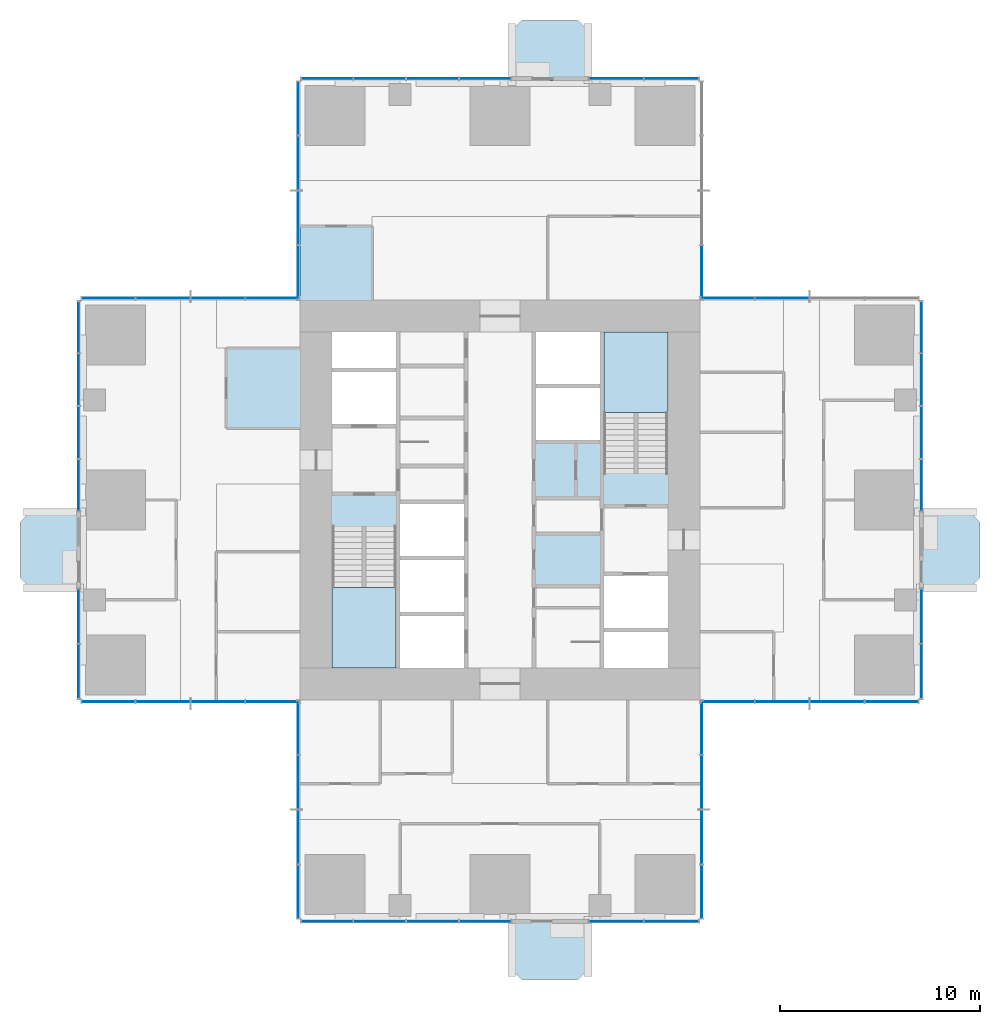
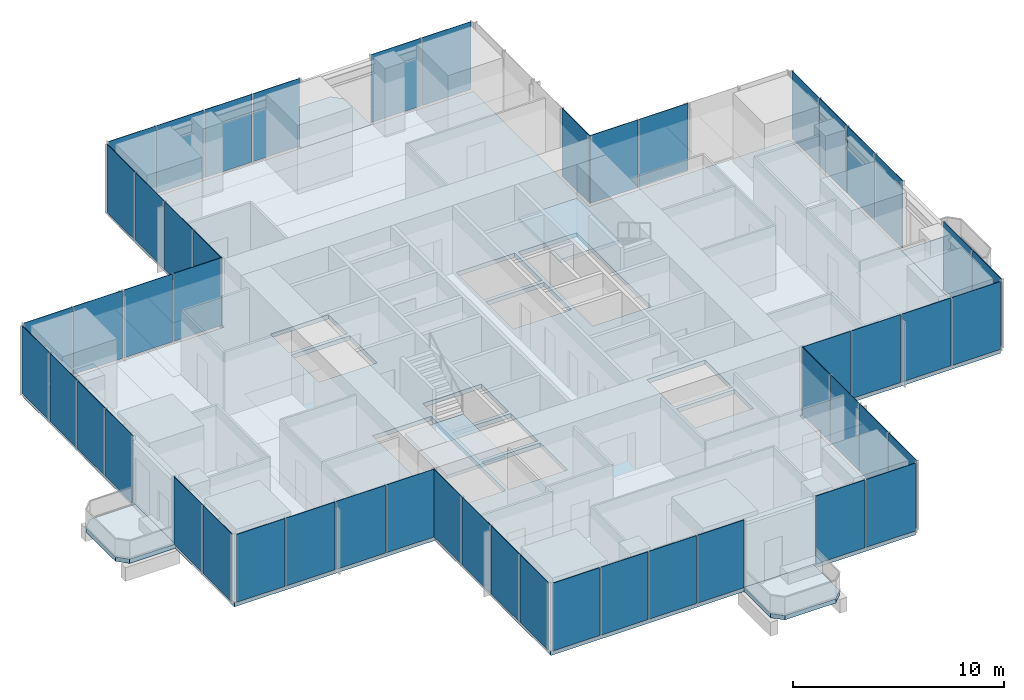
# One storey, part 7 of 13: 51 plates, 7 slabs, 18 elements without a shape of their own.
"""IFC4 building model written with IfcOpenShell, lengths in metres."""

from ifc_helpers import new_model, si_unit, direction, frame, origin, origin_2d, place, context, subcontext, project, spatial, polyline, rectangle, outline, extrude, material, layer, layer_set, type_object, element, aggregate, save


model = new_model("IFC4")

# Units and contexts
model_context = context("Model", 3, precision=1e-05, world=origin(), true_north=direction((0.0, 1.0)))
body_context = subcontext(model_context, "Body", "Model", "MODEL_VIEW")
ifc_project = project(units=[si_unit("LENGTHUNIT", "METRE"), si_unit("AREAUNIT", "SQUARE_METRE"), si_unit("VOLUMEUNIT", "CUBIC_METRE"), si_unit("PLANEANGLEUNIT", "RADIAN"), si_unit("MASSUNIT", "GRAM", prefix="KILO")], contexts=[model_context])

# Site, building, storey
site_placement = place(None, origin())
site = spatial("IfcSite", under=ifc_project, at=site_placement, CompositionType="ELEMENT")
building_placement = place(site_placement, origin())
building = spatial("IfcBuilding", under=site, at=building_placement, Name="Svetlomir Tower", CompositionType="ELEMENT")
storey_placement = place(building_placement, frame((0.0, 0.0, 144.5)))
storey = spatial("IfcBuildingStorey", under=building, at=storey_placement, Name="L34", CompositionType="ELEMENT", Elevation=144.5)

# Slabs
ifc_material_1 = material(Name="Concrete C60/75", Category="concrete")
ifc_layer_1 = layer(ifc_material_1, 0.25)
ifc_layer_set_1 = layer_set([ifc_layer_1], Name="Concrete C60/75")
slab_type_1 = type_object("IfcSlabType", Name="BALCONY SLAB 250", PredefinedType="FLOOR", material=ifc_layer_set_1)
slab_1_placement = place(storey_placement, frame((0.0, 0.0, -0.25)))
element("IfcSlab", 1, at=slab_1_placement, inside=storey, type_object=slab_type_1, Name="L34 S planted balcony", PredefinedType="FLOOR", context=body_context, shape_type="SweptSolid", body=[
    extrude(outline(polyline([(21.60009765625, -2.5), (22.10009765625, -3.0), (24.89990234375, -3.0), (25.39990234375, -2.5), (25.39990234375, 0.0), (21.60009765625, 0.0), (21.60009765625, -2.5)])), origin(), (0.0, 0.0, 1.0), 0.25),
])
slab_2_placement = place(storey_placement, frame((0.0, 0.0, -0.25)))
element("IfcSlab", 2, at=slab_2_placement, inside=storey, type_object=slab_type_1, Name="L34 E planted balcony", PredefinedType="FLOOR", context=body_context, shape_type="SweptSolid", body=[
    extrude(outline(polyline([(42.0, 16.60009765625), (44.5, 16.60009765625), (45.0, 17.10009765625), (45.0, 19.89990234375), (44.5, 20.39990234375), (42.0, 20.39990234375), (42.0, 16.60009765625)])), origin(), (0.0, 0.0, 1.0), 0.25),
])
slab_3_placement = place(storey_placement, frame((0.0, 0.0, -0.25)))
element("IfcSlab", 3, at=slab_3_placement, inside=storey, type_object=slab_type_1, Name="L34 N planted balcony", PredefinedType="FLOOR", context=body_context, shape_type="SweptSolid", body=[
    extrude(outline(polyline([(21.60009765625, 42.0), (25.39990234375, 42.0), (25.39990234375, 44.5), (24.89990234375, 45.0), (22.10009765625, 45.0), (21.60009765625, 44.5), (21.60009765625, 42.0)])), origin(), (0.0, 0.0, 1.0), 0.25),
])
slab_4_placement = place(storey_placement, frame((0.0, 0.0, -0.25)))
element("IfcSlab", 4, at=slab_4_placement, inside=storey, type_object=slab_type_1, Name="L34 W planted balcony", PredefinedType="FLOOR", context=body_context, shape_type="SweptSolid", body=[
    extrude(outline(polyline([(-2.5, 16.60009765625), (0.0, 16.60009765625), (0.0, 20.39990234375), (-2.5, 20.39990234375), (-3.0, 19.89990234375), (-3.0, 17.10009765625), (-2.5, 16.60009765625)])), origin(), (0.0, 0.0, 1.0), 0.25),
])

# Curtain wall, plates
ifc_material_2 = material(Name="Bronze anodised aluminium curtain wall", Category="aluminium")
curtain_wall_type = type_object("IfcCurtainWallType", Name="CURTAIN WALL CW1 TOWER OFFICE", PredefinedType="NOTDEFINED", material=ifc_material_2)
curtain_wall_1_placement = place(storey_placement, origin())
curtain_wall_1 = element("IfcCurtainWall", 5, at=curtain_wall_1_placement, inside=storey, type_object=curtain_wall_type, Name="Curtain wall CW1 L34", PredefinedType="NOTDEFINED")
ifc_material_3 = material(Name="Tinted double glazed unit", Category="glass")
ifc_layer_2 = layer(ifc_material_3, 0.031982421875)
ifc_layer_set_2 = layer_set([ifc_layer_2], Name="Tinted double glazed unit")
plate_type = type_object("IfcPlateType", Name="CW1 GLAZED PANEL 32", PredefinedType="CURTAIN_PANEL", material=ifc_layer_set_2)
plate_1_placement = place(storey_placement, frame((12.34130859375, -0.10009765625, 0.06494140625), z_axis=(0.0, 0.0, 1.0), x_axis=(1.0, 0.0, 0.0)))
plate_1 = element("IfcPlate", 6, at=plate_1_placement, type_object=plate_type, Name="CW1 panel 1.1", PredefinedType="CURTAIN_PANEL", context=body_context, shape_type="SweptSolid", body=[
    extrude(rectangle(XDim=2.552490234375, YDim=0.031982421875, at=origin_2d()), origin(), (0.0, 0.0, 1.0), 3.93505859375),
])
plate_2_placement = place(storey_placement, frame((14.97509765625, -0.10009765625, 0.06494140625), z_axis=(0.0, 0.0, 1.0), x_axis=(1.0, 0.0, 0.0)))
plate_2 = element("IfcPlate", 7, at=plate_2_placement, type_object=plate_type, Name="CW1 panel 2.1", PredefinedType="CURTAIN_PANEL", context=body_context, shape_type="SweptSolid", body=[
    extrude(rectangle(XDim=2.5849609375, YDim=0.031982421875, at=origin_2d()), origin(), (0.0, 0.0, 1.0), 3.93505859375),
])
plate_3_placement = place(storey_placement, frame((17.625, -0.10009765625, 0.06494140625), z_axis=(0.0, 0.0, 1.0), x_axis=(1.0, 0.0, 0.0)))
plate_3 = element("IfcPlate", 8, at=plate_3_placement, type_object=plate_type, Name="CW1 panel 3.1", PredefinedType="CURTAIN_PANEL", context=body_context, shape_type="SweptSolid", body=[
    extrude(rectangle(XDim=2.5849609375, YDim=0.031982421875, at=origin_2d()), origin(), (0.0, 0.0, 1.0), 3.93505859375),
])
plate_4_placement = place(storey_placement, frame((20.2587890625, -0.10009765625, 0.06494140625), z_axis=(0.0, 0.0, 1.0), x_axis=(1.0, 0.0, 0.0)))
plate_4 = element("IfcPlate", 9, at=plate_4_placement, type_object=plate_type, Name="CW1 panel 4.1", PredefinedType="CURTAIN_PANEL", context=body_context, shape_type="SweptSolid", body=[
    extrude(rectangle(XDim=2.552490234375, YDim=0.031982421875, at=origin_2d()), origin(), (0.0, 0.0, 1.0), 3.93505859375),
])
aggregate(curtain_wall_1, [plate_1, plate_2, plate_3, plate_4])

curtain_wall_2_placement = place(storey_placement, origin())
curtain_wall_2 = element("IfcCurtainWall", 10, at=curtain_wall_2_placement, inside=storey, type_object=curtain_wall_type, Name="Curtain wall CW1 L34", PredefinedType="NOTDEFINED")
plate_5_placement = place(storey_placement, frame((26.816162109375, -0.10009765625, 0.06494140625), z_axis=(0.0, 0.0, 1.0), x_axis=(1.0, 0.0, 0.0)))
plate_5 = element("IfcPlate", 11, at=plate_5_placement, type_object=plate_type, Name="CW1 panel 1.1", PredefinedType="CURTAIN_PANEL", context=body_context, shape_type="SweptSolid", body=[
    extrude(rectangle(XDim=2.702392578125, YDim=0.031982421875, at=origin_2d()), origin(), (0.0, 0.0, 1.0), 3.93505859375),
])
plate_6_placement = place(storey_placement, frame((29.583740234375, -0.10009765625, 0.06494140625), z_axis=(0.0, 0.0, 1.0), x_axis=(1.0, 0.0, 0.0)))
plate_6 = element("IfcPlate", 12, at=plate_6_placement, type_object=plate_type, Name="CW1 panel 2.1", PredefinedType="CURTAIN_PANEL", context=body_context, shape_type="SweptSolid", body=[
    extrude(rectangle(XDim=2.702392578125, YDim=0.031982421875, at=origin_2d()), origin(), (0.0, 0.0, 1.0), 3.93505859375),
])
aggregate(curtain_wall_2, [plate_5, plate_6])

curtain_wall_3_placement = place(storey_placement, origin())
curtain_wall_3 = element("IfcCurtainWall", 13, at=curtain_wall_3_placement, inside=storey, type_object=curtain_wall_type, Name="Curtain wall CW1 L34", PredefinedType="NOTDEFINED")
plate_7_placement = place(storey_placement, frame((31.10009765625, 1.391357421875, 0.06494140625), z_axis=(0.0, 0.0, 1.0), x_axis=(0.0, 1.0, 0.0)))
plate_7 = element("IfcPlate", 14, at=plate_7_placement, type_object=plate_type, Name="CW1 panel 1.1", PredefinedType="CURTAIN_PANEL", context=body_context, shape_type="SweptSolid", body=[
    extrude(rectangle(XDim=2.652587890625, YDim=0.031982421875, at=origin_2d()), origin(), (0.0, 0.0, 1.0), 3.93505859375),
])
plate_8_placement = place(storey_placement, frame((31.10009765625, 4.125, 0.06494140625), z_axis=(0.0, 0.0, 1.0), x_axis=(0.0, 1.0, 0.0)))
plate_8 = element("IfcPlate", 15, at=plate_8_placement, type_object=plate_type, Name="CW1 panel 2.1", PredefinedType="CURTAIN_PANEL", context=body_context, shape_type="SweptSolid", body=[
    extrude(rectangle(XDim=2.68505859375, YDim=0.031982421875, at=origin_2d()), origin(), (0.0, 0.0, 1.0), 3.93505859375),
])
plate_9_placement = place(storey_placement, frame((31.10009765625, 6.875, 0.06494140625), z_axis=(0.0, 0.0, 1.0), x_axis=(0.0, 1.0, 0.0)))
plate_9 = element("IfcPlate", 16, at=plate_9_placement, type_object=plate_type, Name="CW1 panel 3.1", PredefinedType="CURTAIN_PANEL", context=body_context, shape_type="SweptSolid", body=[
    extrude(rectangle(XDim=2.68505859375, YDim=0.031982421875, at=origin_2d()), origin(), (0.0, 0.0, 1.0), 3.93505859375),
])
plate_10_placement = place(storey_placement, frame((31.10009765625, 9.608642578125, 0.06494140625), z_axis=(0.0, 0.0, 1.0), x_axis=(0.0, 1.0, 0.0)))
plate_10 = element("IfcPlate", 17, at=plate_10_placement, type_object=plate_type, Name="CW1 panel 4.1", PredefinedType="CURTAIN_PANEL", context=body_context, shape_type="SweptSolid", body=[
    extrude(rectangle(XDim=2.652587890625, YDim=0.031982421875, at=origin_2d()), origin(), (0.0, 0.0, 1.0), 3.93505859375),
])
aggregate(curtain_wall_3, [plate_7, plate_8, plate_9, plate_10])

curtain_wall_4_placement = place(storey_placement, origin())
curtain_wall_4 = element("IfcCurtainWall", 18, at=curtain_wall_4_placement, inside=storey, type_object=curtain_wall_type, Name="Curtain wall CW1 L34", PredefinedType="NOTDEFINED")
plate_11_placement = place(storey_placement, frame((32.391357421875, 10.89990234375, 0.06494140625), z_axis=(0.0, 0.0, 1.0), x_axis=(1.0, 0.0, 0.0)))
plate_11 = element("IfcPlate", 19, at=plate_11_placement, type_object=plate_type, Name="CW1 panel 1.1", PredefinedType="CURTAIN_PANEL", context=body_context, shape_type="SweptSolid", body=[
    extrude(rectangle(XDim=2.652587890625, YDim=0.031982421875, at=origin_2d()), origin(), (0.0, 0.0, 1.0), 3.93505859375),
])
plate_12_placement = place(storey_placement, frame((35.125, 10.89990234375, 0.06494140625), z_axis=(0.0, 0.0, 1.0), x_axis=(1.0, 0.0, 0.0)))
plate_12 = element("IfcPlate", 20, at=plate_12_placement, type_object=plate_type, Name="CW1 panel 2.1", PredefinedType="CURTAIN_PANEL", context=body_context, shape_type="SweptSolid", body=[
    extrude(rectangle(XDim=2.68505859375, YDim=0.031982421875, at=origin_2d()), origin(), (0.0, 0.0, 1.0), 3.93505859375),
])
plate_13_placement = place(storey_placement, frame((37.875, 10.89990234375, 0.06494140625), z_axis=(0.0, 0.0, 1.0), x_axis=(1.0, 0.0, 0.0)))
plate_13 = element("IfcPlate", 21, at=plate_13_placement, type_object=plate_type, Name="CW1 panel 3.1", PredefinedType="CURTAIN_PANEL", context=body_context, shape_type="SweptSolid", body=[
    extrude(rectangle(XDim=2.68505859375, YDim=0.031982421875, at=origin_2d()), origin(), (0.0, 0.0, 1.0), 3.93505859375),
])
plate_14_placement = place(storey_placement, frame((40.608642578125, 10.89990234375, 0.06494140625), z_axis=(0.0, 0.0, 1.0), x_axis=(1.0, 0.0, 0.0)))
plate_14 = element("IfcPlate", 22, at=plate_14_placement, type_object=plate_type, Name="CW1 panel 4.1", PredefinedType="CURTAIN_PANEL", context=body_context, shape_type="SweptSolid", body=[
    extrude(rectangle(XDim=2.652587890625, YDim=0.031982421875, at=origin_2d()), origin(), (0.0, 0.0, 1.0), 3.93505859375),
])
aggregate(curtain_wall_4, [plate_11, plate_12, plate_13, plate_14])

curtain_wall_5_placement = place(storey_placement, origin())
curtain_wall_5 = element("IfcCurtainWall", 23, at=curtain_wall_5_placement, inside=storey, type_object=curtain_wall_type, Name="Curtain wall CW1 L34", PredefinedType="NOTDEFINED")
plate_15_placement = place(storey_placement, frame((42.10009765625, 12.416259765625, 0.06494140625), z_axis=(0.0, 0.0, 1.0), x_axis=(0.0, 1.0, 0.0)))
plate_15 = element("IfcPlate", 24, at=plate_15_placement, type_object=plate_type, Name="CW1 panel 1.1", PredefinedType="CURTAIN_PANEL", context=body_context, shape_type="SweptSolid", body=[
    extrude(rectangle(XDim=2.702392578125, YDim=0.031982421875, at=origin_2d()), origin(), (0.0, 0.0, 1.0), 3.93505859375),
])
plate_16_placement = place(storey_placement, frame((42.10009765625, 15.183837890625, 0.06494140625), z_axis=(0.0, 0.0, 1.0), x_axis=(0.0, 1.0, 0.0)))
plate_16 = element("IfcPlate", 25, at=plate_16_placement, type_object=plate_type, Name="CW1 panel 2.1", PredefinedType="CURTAIN_PANEL", context=body_context, shape_type="SweptSolid", body=[
    extrude(rectangle(XDim=2.702392578125, YDim=0.031982421875, at=origin_2d()), origin(), (0.0, 0.0, 1.0), 3.93505859375),
])
aggregate(curtain_wall_5, [plate_15, plate_16])

curtain_wall_6_placement = place(storey_placement, origin())
curtain_wall_6 = element("IfcCurtainWall", 26, at=curtain_wall_6_placement, inside=storey, type_object=curtain_wall_type, Name="Curtain wall CW1 L34", PredefinedType="NOTDEFINED")
plate_17_placement = place(storey_placement, frame((42.10009765625, 21.7412109375, 0.06494140625), z_axis=(0.0, 0.0, 1.0), x_axis=(0.0, 1.0, 0.0)))
plate_17 = element("IfcPlate", 27, at=plate_17_placement, type_object=plate_type, Name="CW1 panel 1.1", PredefinedType="CURTAIN_PANEL", context=body_context, shape_type="SweptSolid", body=[
    extrude(rectangle(XDim=2.552490234375, YDim=0.031982421875, at=origin_2d()), origin(), (0.0, 0.0, 1.0), 3.93505859375),
])
plate_18_placement = place(storey_placement, frame((42.10009765625, 24.375, 0.06494140625), z_axis=(0.0, 0.0, 1.0), x_axis=(0.0, 1.0, 0.0)))
plate_18 = element("IfcPlate", 28, at=plate_18_placement, type_object=plate_type, Name="CW1 panel 2.1", PredefinedType="CURTAIN_PANEL", context=body_context, shape_type="SweptSolid", body=[
    extrude(rectangle(XDim=2.5849609375, YDim=0.031982421875, at=origin_2d()), origin(), (0.0, 0.0, 1.0), 3.93505859375),
])
plate_19_placement = place(storey_placement, frame((42.10009765625, 27.02490234375, 0.06494140625), z_axis=(0.0, 0.0, 1.0), x_axis=(0.0, 1.0, 0.0)))
plate_19 = element("IfcPlate", 29, at=plate_19_placement, type_object=plate_type, Name="CW1 panel 3.1", PredefinedType="CURTAIN_PANEL", context=body_context, shape_type="SweptSolid", body=[
    extrude(rectangle(XDim=2.5849609375, YDim=0.031982421875, at=origin_2d()), origin(), (0.0, 0.0, 1.0), 3.93505859375),
])
plate_20_placement = place(storey_placement, frame((42.10009765625, 29.65869140625, 0.06494140625), z_axis=(0.0, 0.0, 1.0), x_axis=(0.0, 1.0, 0.0)))
plate_20 = element("IfcPlate", 30, at=plate_20_placement, type_object=plate_type, Name="CW1 panel 4.1", PredefinedType="CURTAIN_PANEL", context=body_context, shape_type="SweptSolid", body=[
    extrude(rectangle(XDim=2.552490234375, YDim=0.031982421875, at=origin_2d()), origin(), (0.0, 0.0, 1.0), 3.93505859375),
])
aggregate(curtain_wall_6, [plate_17, plate_18, plate_19, plate_20])

curtain_wall_7_placement = place(storey_placement, origin())
curtain_wall_7 = element("IfcCurtainWall", 31, at=curtain_wall_7_placement, inside=storey, type_object=curtain_wall_type, Name="Curtain wall CW1 L34", PredefinedType="NOTDEFINED")
plate_21_placement = place(storey_placement, frame((35.125, 31.10009765625, 0.06494140625), z_axis=(0.0, 0.0, 1.0), x_axis=(-1.0, 0.0, 0.0)))
plate_21 = element("IfcPlate", 32, at=plate_21_placement, type_object=plate_type, Name="CW1 panel 3.1", PredefinedType="CURTAIN_PANEL", context=body_context, shape_type="SweptSolid", body=[
    extrude(rectangle(XDim=2.68505859375, YDim=0.031982421875, at=origin_2d()), origin(), (0.0, 0.0, 1.0), 3.93505859375),
])
plate_22_placement = place(storey_placement, frame((32.391357421875, 31.10009765625, 0.06494140625), z_axis=(0.0, 0.0, 1.0), x_axis=(-1.0, 0.0, 0.0)))
plate_22 = element("IfcPlate", 33, at=plate_22_placement, type_object=plate_type, Name="CW1 panel 4.1", PredefinedType="CURTAIN_PANEL", context=body_context, shape_type="SweptSolid", body=[
    extrude(rectangle(XDim=2.652587890625, YDim=0.031982421875, at=origin_2d()), origin(), (0.0, 0.0, 1.0), 3.93505859375),
])
aggregate(curtain_wall_7, [plate_21, plate_22])

# Curtain wall, plate
curtain_wall_8_placement = place(storey_placement, origin())
curtain_wall_8 = element("IfcCurtainWall", 34, at=curtain_wall_8_placement, inside=storey, type_object=curtain_wall_type, Name="Curtain wall CW1 L34", PredefinedType="NOTDEFINED")
plate_23_placement = place(storey_placement, frame((31.10009765625, 32.391357421875, 0.06494140625), z_axis=(0.0, 0.0, 1.0), x_axis=(0.0, 1.0, 0.0)))
plate_23 = element("IfcPlate", 35, at=plate_23_placement, type_object=plate_type, Name="CW1 panel 1.1", PredefinedType="CURTAIN_PANEL", context=body_context, shape_type="SweptSolid", body=[
    extrude(rectangle(XDim=2.652587890625, YDim=0.031982421875, at=origin_2d()), origin(), (0.0, 0.0, 1.0), 3.93505859375),
])
aggregate(curtain_wall_8, [plate_23])

# Curtain wall, plates
curtain_wall_9_placement = place(storey_placement, origin())
curtain_wall_9 = element("IfcCurtainWall", 36, at=curtain_wall_9_placement, inside=storey, type_object=curtain_wall_type, Name="Curtain wall CW1 L34", PredefinedType="NOTDEFINED")
plate_24_placement = place(storey_placement, frame((29.583740234375, 42.10009765625, 0.06494140625), z_axis=(0.0, 0.0, 1.0), x_axis=(-1.0, 0.0, 0.0)))
plate_24 = element("IfcPlate", 37, at=plate_24_placement, type_object=plate_type, Name="CW1 panel 1.1", PredefinedType="CURTAIN_PANEL", context=body_context, shape_type="SweptSolid", body=[
    extrude(rectangle(XDim=2.702392578125, YDim=0.031982421875, at=origin_2d()), origin(), (0.0, 0.0, 1.0), 3.93505859375),
])
plate_25_placement = place(storey_placement, frame((26.816162109375, 42.10009765625, 0.06494140625), z_axis=(0.0, 0.0, 1.0), x_axis=(-1.0, 0.0, 0.0)))
plate_25 = element("IfcPlate", 38, at=plate_25_placement, type_object=plate_type, Name="CW1 panel 2.1", PredefinedType="CURTAIN_PANEL", context=body_context, shape_type="SweptSolid", body=[
    extrude(rectangle(XDim=2.702392578125, YDim=0.031982421875, at=origin_2d()), origin(), (0.0, 0.0, 1.0), 3.93505859375),
])
aggregate(curtain_wall_9, [plate_24, plate_25])

curtain_wall_10_placement = place(storey_placement, origin())
curtain_wall_10 = element("IfcCurtainWall", 39, at=curtain_wall_10_placement, inside=storey, type_object=curtain_wall_type, Name="Curtain wall CW1 L34", PredefinedType="NOTDEFINED")
plate_26_placement = place(storey_placement, frame((20.2587890625, 42.10009765625, 0.06494140625), z_axis=(0.0, 0.0, 1.0), x_axis=(-1.0, 0.0, 0.0)))
plate_26 = element("IfcPlate", 40, at=plate_26_placement, type_object=plate_type, Name="CW1 panel 1.1", PredefinedType="CURTAIN_PANEL", context=body_context, shape_type="SweptSolid", body=[
    extrude(rectangle(XDim=2.552490234375, YDim=0.031982421875, at=origin_2d()), origin(), (0.0, 0.0, 1.0), 3.93505859375),
])
plate_27_placement = place(storey_placement, frame((17.625, 42.10009765625, 0.06494140625), z_axis=(0.0, 0.0, 1.0), x_axis=(-1.0, 0.0, 0.0)))
plate_27 = element("IfcPlate", 41, at=plate_27_placement, type_object=plate_type, Name="CW1 panel 2.1", PredefinedType="CURTAIN_PANEL", context=body_context, shape_type="SweptSolid", body=[
    extrude(rectangle(XDim=2.5849609375, YDim=0.031982421875, at=origin_2d()), origin(), (0.0, 0.0, 1.0), 3.93505859375),
])
plate_28_placement = place(storey_placement, frame((14.97509765625, 42.10009765625, 0.06494140625), z_axis=(0.0, 0.0, 1.0), x_axis=(-1.0, 0.0, 0.0)))
plate_28 = element("IfcPlate", 42, at=plate_28_placement, type_object=plate_type, Name="CW1 panel 3.1", PredefinedType="CURTAIN_PANEL", context=body_context, shape_type="SweptSolid", body=[
    extrude(rectangle(XDim=2.5849609375, YDim=0.031982421875, at=origin_2d()), origin(), (0.0, 0.0, 1.0), 3.93505859375),
])
plate_29_placement = place(storey_placement, frame((12.34130859375, 42.10009765625, 0.06494140625), z_axis=(0.0, 0.0, 1.0), x_axis=(-1.0, 0.0, 0.0)))
plate_29 = element("IfcPlate", 43, at=plate_29_placement, type_object=plate_type, Name="CW1 panel 4.1", PredefinedType="CURTAIN_PANEL", context=body_context, shape_type="SweptSolid", body=[
    extrude(rectangle(XDim=2.552490234375, YDim=0.031982421875, at=origin_2d()), origin(), (0.0, 0.0, 1.0), 3.93505859375),
])
aggregate(curtain_wall_10, [plate_26, plate_27, plate_28, plate_29])

curtain_wall_11_placement = place(storey_placement, origin())
curtain_wall_11 = element("IfcCurtainWall", 44, at=curtain_wall_11_placement, inside=storey, type_object=curtain_wall_type, Name="Curtain wall CW1 L34", PredefinedType="NOTDEFINED")
plate_30_placement = place(storey_placement, frame((10.89990234375, 40.608642578125, 0.06494140625), z_axis=(0.0, 0.0, 1.0), x_axis=(0.0, -1.0, 0.0)))
plate_30 = element("IfcPlate", 45, at=plate_30_placement, type_object=plate_type, Name="CW1 panel 1.1", PredefinedType="CURTAIN_PANEL", context=body_context, shape_type="SweptSolid", body=[
    extrude(rectangle(XDim=2.652587890625, YDim=0.031982421875, at=origin_2d()), origin(), (0.0, 0.0, 1.0), 3.93505859375),
])
plate_31_placement = place(storey_placement, frame((10.89990234375, 37.875, 0.06494140625), z_axis=(0.0, 0.0, 1.0), x_axis=(0.0, -1.0, 0.0)))
plate_31 = element("IfcPlate", 46, at=plate_31_placement, type_object=plate_type, Name="CW1 panel 2.1", PredefinedType="CURTAIN_PANEL", context=body_context, shape_type="SweptSolid", body=[
    extrude(rectangle(XDim=2.68505859375, YDim=0.031982421875, at=origin_2d()), origin(), (0.0, 0.0, 1.0), 3.93505859375),
])
plate_32_placement = place(storey_placement, frame((10.89990234375, 35.125, 0.06494140625), z_axis=(0.0, 0.0, 1.0), x_axis=(0.0, -1.0, 0.0)))
plate_32 = element("IfcPlate", 47, at=plate_32_placement, type_object=plate_type, Name="CW1 panel 3.1", PredefinedType="CURTAIN_PANEL", context=body_context, shape_type="SweptSolid", body=[
    extrude(rectangle(XDim=2.68505859375, YDim=0.031982421875, at=origin_2d()), origin(), (0.0, 0.0, 1.0), 3.93505859375),
])
plate_33_placement = place(storey_placement, frame((10.89990234375, 32.391357421875, 0.06494140625), z_axis=(0.0, 0.0, 1.0), x_axis=(0.0, -1.0, 0.0)))
plate_33 = element("IfcPlate", 48, at=plate_33_placement, type_object=plate_type, Name="CW1 panel 4.1", PredefinedType="CURTAIN_PANEL", context=body_context, shape_type="SweptSolid", body=[
    extrude(rectangle(XDim=2.652587890625, YDim=0.031982421875, at=origin_2d()), origin(), (0.0, 0.0, 1.0), 3.93505859375),
])
aggregate(curtain_wall_11, [plate_30, plate_31, plate_32, plate_33])

curtain_wall_12_placement = place(storey_placement, origin())
curtain_wall_12 = element("IfcCurtainWall", 49, at=curtain_wall_12_placement, inside=storey, type_object=curtain_wall_type, Name="Curtain wall CW1 L34", PredefinedType="NOTDEFINED")
plate_34_placement = place(storey_placement, frame((9.608642578125, 31.10009765625, 0.06494140625), z_axis=(0.0, 0.0, 1.0), x_axis=(-1.0, 0.0, 0.0)))
plate_34 = element("IfcPlate", 50, at=plate_34_placement, type_object=plate_type, Name="CW1 panel 1.1", PredefinedType="CURTAIN_PANEL", context=body_context, shape_type="SweptSolid", body=[
    extrude(rectangle(XDim=2.652587890625, YDim=0.031982421875, at=origin_2d()), origin(), (0.0, 0.0, 1.0), 3.93505859375),
])
plate_35_placement = place(storey_placement, frame((6.875, 31.10009765625, 0.06494140625), z_axis=(0.0, 0.0, 1.0), x_axis=(-1.0, 0.0, 0.0)))
plate_35 = element("IfcPlate", 51, at=plate_35_placement, type_object=plate_type, Name="CW1 panel 2.1", PredefinedType="CURTAIN_PANEL", context=body_context, shape_type="SweptSolid", body=[
    extrude(rectangle(XDim=2.68505859375, YDim=0.031982421875, at=origin_2d()), origin(), (0.0, 0.0, 1.0), 3.93505859375),
])
plate_36_placement = place(storey_placement, frame((4.125, 31.10009765625, 0.06494140625), z_axis=(0.0, 0.0, 1.0), x_axis=(-1.0, 0.0, 0.0)))
plate_36 = element("IfcPlate", 52, at=plate_36_placement, type_object=plate_type, Name="CW1 panel 3.1", PredefinedType="CURTAIN_PANEL", context=body_context, shape_type="SweptSolid", body=[
    extrude(rectangle(XDim=2.68505859375, YDim=0.031982421875, at=origin_2d()), origin(), (0.0, 0.0, 1.0), 3.93505859375),
])
plate_37_placement = place(storey_placement, frame((1.391357421875, 31.10009765625, 0.06494140625), z_axis=(0.0, 0.0, 1.0), x_axis=(-1.0, 0.0, 0.0)))
plate_37 = element("IfcPlate", 53, at=plate_37_placement, type_object=plate_type, Name="CW1 panel 4.1", PredefinedType="CURTAIN_PANEL", context=body_context, shape_type="SweptSolid", body=[
    extrude(rectangle(XDim=2.652587890625, YDim=0.031982421875, at=origin_2d()), origin(), (0.0, 0.0, 1.0), 3.93505859375),
])
aggregate(curtain_wall_12, [plate_34, plate_35, plate_36, plate_37])

curtain_wall_13_placement = place(storey_placement, origin())
curtain_wall_13 = element("IfcCurtainWall", 54, at=curtain_wall_13_placement, inside=storey, type_object=curtain_wall_type, Name="Curtain wall CW1 L34", PredefinedType="NOTDEFINED")
plate_38_placement = place(storey_placement, frame((-0.10009765625, 29.65869140625, 0.06494140625), z_axis=(0.0, 0.0, 1.0), x_axis=(0.0, -1.0, 0.0)))
plate_38 = element("IfcPlate", 55, at=plate_38_placement, type_object=plate_type, Name="CW1 panel 1.1", PredefinedType="CURTAIN_PANEL", context=body_context, shape_type="SweptSolid", body=[
    extrude(rectangle(XDim=2.552490234375, YDim=0.031982421875, at=origin_2d()), origin(), (0.0, 0.0, 1.0), 3.93505859375),
])
plate_39_placement = place(storey_placement, frame((-0.10009765625, 27.02490234375, 0.06494140625), z_axis=(0.0, 0.0, 1.0), x_axis=(0.0, -1.0, 0.0)))
plate_39 = element("IfcPlate", 56, at=plate_39_placement, type_object=plate_type, Name="CW1 panel 2.1", PredefinedType="CURTAIN_PANEL", context=body_context, shape_type="SweptSolid", body=[
    extrude(rectangle(XDim=2.5849609375, YDim=0.031982421875, at=origin_2d()), origin(), (0.0, 0.0, 1.0), 3.93505859375),
])
plate_40_placement = place(storey_placement, frame((-0.10009765625, 24.375, 0.06494140625), z_axis=(0.0, 0.0, 1.0), x_axis=(0.0, -1.0, 0.0)))
plate_40 = element("IfcPlate", 57, at=plate_40_placement, type_object=plate_type, Name="CW1 panel 3.1", PredefinedType="CURTAIN_PANEL", context=body_context, shape_type="SweptSolid", body=[
    extrude(rectangle(XDim=2.5849609375, YDim=0.031982421875, at=origin_2d()), origin(), (0.0, 0.0, 1.0), 3.93505859375),
])
plate_41_placement = place(storey_placement, frame((-0.10009765625, 21.7412109375, 0.06494140625), z_axis=(0.0, 0.0, 1.0), x_axis=(0.0, -1.0, 0.0)))
plate_41 = element("IfcPlate", 58, at=plate_41_placement, type_object=plate_type, Name="CW1 panel 4.1", PredefinedType="CURTAIN_PANEL", context=body_context, shape_type="SweptSolid", body=[
    extrude(rectangle(XDim=2.552490234375, YDim=0.031982421875, at=origin_2d()), origin(), (0.0, 0.0, 1.0), 3.93505859375),
])
aggregate(curtain_wall_13, [plate_38, plate_39, plate_40, plate_41])

curtain_wall_14_placement = place(storey_placement, origin())
curtain_wall_14 = element("IfcCurtainWall", 59, at=curtain_wall_14_placement, inside=storey, type_object=curtain_wall_type, Name="Curtain wall CW1 L34", PredefinedType="NOTDEFINED")
plate_42_placement = place(storey_placement, frame((-0.10009765625, 15.183837890625, 0.06494140625), z_axis=(0.0, 0.0, 1.0), x_axis=(0.0, -1.0, 0.0)))
plate_42 = element("IfcPlate", 60, at=plate_42_placement, type_object=plate_type, Name="CW1 panel 1.1", PredefinedType="CURTAIN_PANEL", context=body_context, shape_type="SweptSolid", body=[
    extrude(rectangle(XDim=2.702392578125, YDim=0.031982421875, at=origin_2d()), origin(), (0.0, 0.0, 1.0), 3.93505859375),
])
plate_43_placement = place(storey_placement, frame((-0.10009765625, 12.416259765625, 0.06494140625), z_axis=(0.0, 0.0, 1.0), x_axis=(0.0, -1.0, 0.0)))
plate_43 = element("IfcPlate", 61, at=plate_43_placement, type_object=plate_type, Name="CW1 panel 2.1", PredefinedType="CURTAIN_PANEL", context=body_context, shape_type="SweptSolid", body=[
    extrude(rectangle(XDim=2.702392578125, YDim=0.031982421875, at=origin_2d()), origin(), (0.0, 0.0, 1.0), 3.93505859375),
])
aggregate(curtain_wall_14, [plate_42, plate_43])

curtain_wall_15_placement = place(storey_placement, origin())
curtain_wall_15 = element("IfcCurtainWall", 62, at=curtain_wall_15_placement, inside=storey, type_object=curtain_wall_type, Name="Curtain wall CW1 L34", PredefinedType="NOTDEFINED")
plate_44_placement = place(storey_placement, frame((1.391357421875, 10.89990234375, 0.06494140625), z_axis=(0.0, 0.0, 1.0), x_axis=(1.0, 0.0, 0.0)))
plate_44 = element("IfcPlate", 63, at=plate_44_placement, type_object=plate_type, Name="CW1 panel 1.1", PredefinedType="CURTAIN_PANEL", context=body_context, shape_type="SweptSolid", body=[
    extrude(rectangle(XDim=2.652587890625, YDim=0.031982421875, at=origin_2d()), origin(), (0.0, 0.0, 1.0), 3.93505859375),
])
plate_45_placement = place(storey_placement, frame((4.125, 10.89990234375, 0.06494140625), z_axis=(0.0, 0.0, 1.0), x_axis=(1.0, 0.0, 0.0)))
plate_45 = element("IfcPlate", 64, at=plate_45_placement, type_object=plate_type, Name="CW1 panel 2.1", PredefinedType="CURTAIN_PANEL", context=body_context, shape_type="SweptSolid", body=[
    extrude(rectangle(XDim=2.68505859375, YDim=0.031982421875, at=origin_2d()), origin(), (0.0, 0.0, 1.0), 3.93505859375),
])
plate_46_placement = place(storey_placement, frame((6.875, 10.89990234375, 0.06494140625), z_axis=(0.0, 0.0, 1.0), x_axis=(1.0, 0.0, 0.0)))
plate_46 = element("IfcPlate", 65, at=plate_46_placement, type_object=plate_type, Name="CW1 panel 3.1", PredefinedType="CURTAIN_PANEL", context=body_context, shape_type="SweptSolid", body=[
    extrude(rectangle(XDim=2.68505859375, YDim=0.031982421875, at=origin_2d()), origin(), (0.0, 0.0, 1.0), 3.93505859375),
])
plate_47_placement = place(storey_placement, frame((9.608642578125, 10.89990234375, 0.06494140625), z_axis=(0.0, 0.0, 1.0), x_axis=(1.0, 0.0, 0.0)))
plate_47 = element("IfcPlate", 66, at=plate_47_placement, type_object=plate_type, Name="CW1 panel 4.1", PredefinedType="CURTAIN_PANEL", context=body_context, shape_type="SweptSolid", body=[
    extrude(rectangle(XDim=2.652587890625, YDim=0.031982421875, at=origin_2d()), origin(), (0.0, 0.0, 1.0), 3.93505859375),
])
aggregate(curtain_wall_15, [plate_44, plate_45, plate_46, plate_47])

curtain_wall_16_placement = place(storey_placement, origin())
curtain_wall_16 = element("IfcCurtainWall", 67, at=curtain_wall_16_placement, inside=storey, type_object=curtain_wall_type, Name="Curtain wall CW1 L34", PredefinedType="NOTDEFINED")
plate_48_placement = place(storey_placement, frame((10.89990234375, 9.608642578125, 0.06494140625), z_axis=(0.0, 0.0, 1.0), x_axis=(0.0, -1.0, 0.0)))
plate_48 = element("IfcPlate", 68, at=plate_48_placement, type_object=plate_type, Name="CW1 panel 1.1", PredefinedType="CURTAIN_PANEL", context=body_context, shape_type="SweptSolid", body=[
    extrude(rectangle(XDim=2.652587890625, YDim=0.031982421875, at=origin_2d()), origin(), (0.0, 0.0, 1.0), 3.93505859375),
])
plate_49_placement = place(storey_placement, frame((10.89990234375, 6.875, 0.06494140625), z_axis=(0.0, 0.0, 1.0), x_axis=(0.0, -1.0, 0.0)))
plate_49 = element("IfcPlate", 69, at=plate_49_placement, type_object=plate_type, Name="CW1 panel 2.1", PredefinedType="CURTAIN_PANEL", context=body_context, shape_type="SweptSolid", body=[
    extrude(rectangle(XDim=2.68505859375, YDim=0.031982421875, at=origin_2d()), origin(), (0.0, 0.0, 1.0), 3.93505859375),
])
plate_50_placement = place(storey_placement, frame((10.89990234375, 4.125, 0.06494140625), z_axis=(0.0, 0.0, 1.0), x_axis=(0.0, -1.0, 0.0)))
plate_50 = element("IfcPlate", 70, at=plate_50_placement, type_object=plate_type, Name="CW1 panel 3.1", PredefinedType="CURTAIN_PANEL", context=body_context, shape_type="SweptSolid", body=[
    extrude(rectangle(XDim=2.68505859375, YDim=0.031982421875, at=origin_2d()), origin(), (0.0, 0.0, 1.0), 3.93505859375),
])
plate_51_placement = place(storey_placement, frame((10.89990234375, 1.391357421875, 0.06494140625), z_axis=(0.0, 0.0, 1.0), x_axis=(0.0, -1.0, 0.0)))
plate_51 = element("IfcPlate", 71, at=plate_51_placement, type_object=plate_type, Name="CW1 panel 4.1", PredefinedType="CURTAIN_PANEL", context=body_context, shape_type="SweptSolid", body=[
    extrude(rectangle(XDim=2.652587890625, YDim=0.031982421875, at=origin_2d()), origin(), (0.0, 0.0, 1.0), 3.93505859375),
])
aggregate(curtain_wall_16, [plate_48, plate_49, plate_50, plate_51])

# Slab
ifc_material_4 = material(Name="Concrete C60/75", Category="concrete")
ifc_layer_3 = layer(ifc_material_4, 0.25)
ifc_layer_set_3 = layer_set([ifc_layer_3], Name="Concrete C60/75")
slab_type_2 = type_object("IfcSlabType", Name="FLOOR SLAB 250", PredefinedType="FLOOR", material=ifc_layer_set_3)
slab_5_placement = place(storey_placement, frame((0.0, 0.0, -0.25)))
element("IfcSlab", 72, at=slab_5_placement, inside=storey, type_object=slab_type_2, Name="L34 floor slab", PredefinedType="FLOOR", context=body_context, shape_type="SweptSolid", body=[
    extrude(outline(polyline([(11.0, 0.0), (31.0, 0.0), (31.0, 11.0), (42.0, 11.0), (42.0, 31.0), (31.0, 31.0), (31.0, 42.0), (11.0, 42.0), (11.0, 31.0), (0.0, 31.0), (0.0, 11.0), (11.0, 11.0), (11.0, 0.0)]), holes=[polyline([(12.60009765625, 24.800048828125), (15.800048828125, 24.800048828125), (15.800048828125, 27.39990234375), (12.60009765625, 27.39990234375), (12.60009765625, 24.800048828125)]), polyline([(26.199951171875, 14.60009765625), (29.39990234375, 14.60009765625), (29.39990234375, 17.199951171875), (26.199951171875, 17.199951171875), (26.199951171875, 14.60009765625)]), polyline([(16.0, 12.60009765625), (19.199951171875, 12.60009765625), (19.199951171875, 15.199951171875), (16.0, 15.199951171875), (16.0, 12.60009765625)]), polyline([(16.0, 15.39990234375), (19.199951171875, 15.39990234375), (19.199951171875, 18.0), (16.0, 18.0), (16.0, 15.39990234375)]), polyline([(16.0, 18.199951171875), (19.199951171875, 18.199951171875), (19.199951171875, 20.800048828125), (16.0, 20.800048828125), (16.0, 18.199951171875)]), polyline([(22.800048828125, 24.0), (26.0, 24.0), (26.0, 26.60009765625), (22.800048828125, 26.60009765625), (22.800048828125, 24.0)]), polyline([(22.800048828125, 26.800048828125), (26.0, 26.800048828125), (26.0, 29.39990234375), (22.800048828125, 29.39990234375), (22.800048828125, 26.800048828125)]), polyline([(12.60009765625, 27.60009765625), (15.800048828125, 27.60009765625), (15.800048828125, 29.39990234375), (12.60009765625, 29.39990234375), (12.60009765625, 27.60009765625)]), polyline([(26.199951171875, 12.60009765625), (29.39990234375, 12.60009765625), (29.39990234375, 14.39990234375), (26.199951171875, 14.39990234375), (26.199951171875, 12.60009765625)]), polyline([(12.60009765625, 12.60009765625), (15.800048828125, 12.60009765625), (15.800048828125, 19.679931640625), (12.60009765625, 19.679931640625), (12.60009765625, 12.60009765625)]), polyline([(26.199951171875, 22.320068359375), (29.39990234375, 22.320068359375), (29.39990234375, 29.39990234375), (26.199951171875, 29.39990234375), (26.199951171875, 22.320068359375)])]), origin(), (0.0, 0.0, 1.0), 0.25),
])

# Stair, slab
ifc_material_5 = material(Name="Concrete C60/75", Category="concrete")
stair_type = type_object("IfcStairType", Name="EXIT STAIR 3200 RISE 4000", PredefinedType="HALF_TURN_STAIR", material=ifc_material_5)
stair_1_placement = place(storey_placement, origin())
stair_1 = element("IfcStair", 73, at=stair_1_placement, inside=storey, type_object=stair_type, Name="Stair S1 L34 to L35", PredefinedType="HALF_TURN_STAIR")
ifc_material_6 = material(Name="Concrete C60/75", Category="concrete")
ifc_layer_4 = layer(ifc_material_6, 0.199951171875)
ifc_layer_set_4 = layer_set([ifc_layer_4], Name="Concrete C60/75")
slab_type_3 = type_object("IfcSlabType", Name="STAIR LANDING 200", PredefinedType="LANDING", material=ifc_layer_set_4)
slab_6_placement = place(storey_placement, frame((0.0, 0.0, 1.800048828125)))
slab_6 = element("IfcSlab", 74, at=slab_6_placement, type_object=slab_type_3, Name="S1 landing 1", PredefinedType="LANDING", context=body_context, shape_type="SweptSolid", body=[
    extrude(outline(polyline([(12.60009765625, 12.60009765625), (15.800048828125, 12.60009765625), (15.800048828125, 16.6201171875), (12.60009765625, 16.6201171875), (12.60009765625, 12.60009765625)])), origin(), (0.0, 0.0, 1.0), 0.199951171875),
])
aggregate(stair_1, [slab_6])

stair_2_placement = place(storey_placement, origin())
stair_2 = element("IfcStair", 75, at=stair_2_placement, inside=storey, type_object=stair_type, Name="Stair S2 L34 to L35", PredefinedType="HALF_TURN_STAIR")
slab_7_placement = place(storey_placement, frame((0.0, 0.0, 1.800048828125)))
slab_7 = element("IfcSlab", 76, at=slab_7_placement, type_object=slab_type_3, Name="S2 landing 1", PredefinedType="LANDING", context=body_context, shape_type="SweptSolid", body=[
    extrude(outline(polyline([(26.199951171875, 25.3798828125), (29.39990234375, 25.3798828125), (29.39990234375, 29.39990234375), (26.199951171875, 29.39990234375), (26.199951171875, 25.3798828125)])), origin(), (0.0, 0.0, 1.0), 0.199951171875),
])
aggregate(stair_2, [slab_7])

save(model, "model.ifc")
